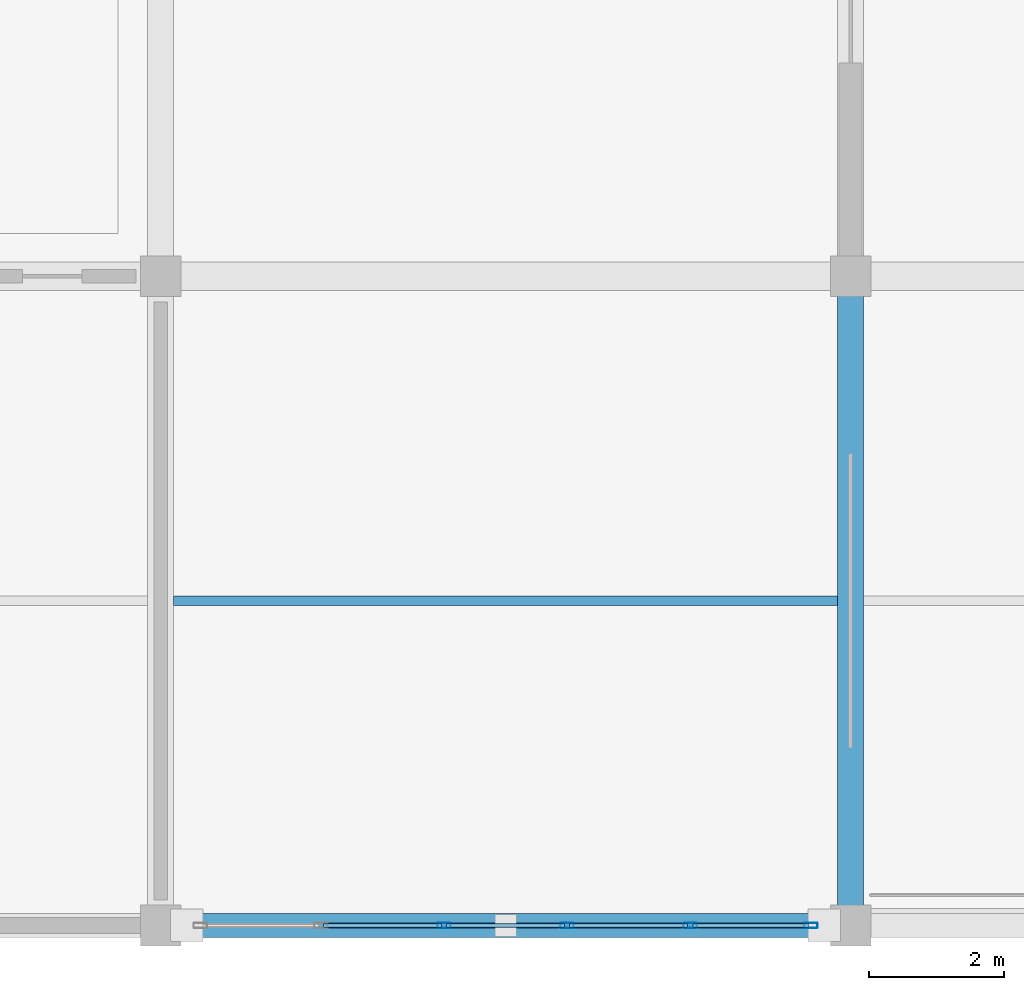
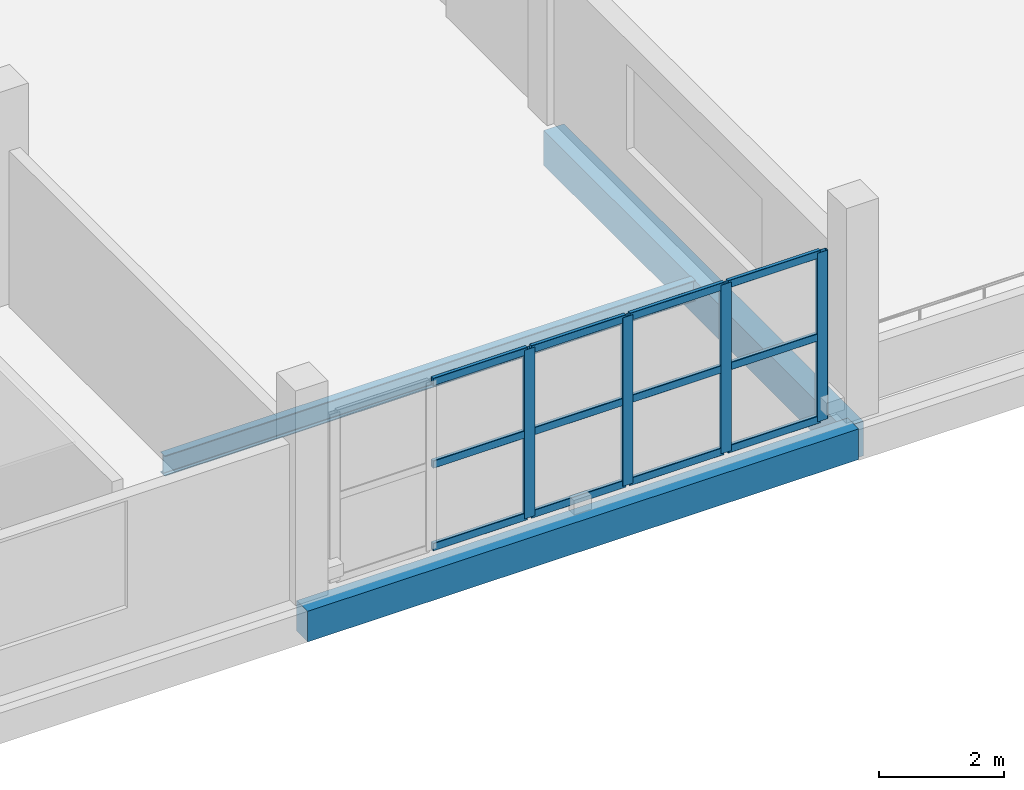
# One storey, part 16 of 24: 16 members, 3 beams, 1 element without a shape of its own.
"""IFC4 building model written with IfcOpenShell, lengths in metres."""

from ifc_helpers import new_model, si_unit, direction, frame, origin, origin_2d, place, context, subcontext, project, spatial, rectangle, hollow_rectangle, i_section, extrude, material, material_profile, profile_set, type_object, element, aggregate, save


model = new_model("IFC4")

# Units and contexts
model_context = context("Model", 3, precision=1e-05, world=origin(), true_north=direction((0.0, 1.0)))
body_context = subcontext(model_context, "Body", "Model", "MODEL_VIEW")
ifc_project = project(units=[si_unit("LENGTHUNIT", "METRE"), si_unit("AREAUNIT", "SQUARE_METRE"), si_unit("VOLUMEUNIT", "CUBIC_METRE"), si_unit("PLANEANGLEUNIT", "RADIAN"), si_unit("MASSUNIT", "GRAM", prefix="KILO")], contexts=[model_context])

# Site, building, storey
site_placement = place(None, origin())
site = spatial("IfcSite", under=ifc_project, at=site_placement, CompositionType="ELEMENT")
building_placement = place(site_placement, origin())
building = spatial("IfcBuilding", under=site, at=building_placement, Name="Brelvane Convention Centre", CompositionType="ELEMENT")
storey_placement = place(building_placement, frame((0.0, 0.0, 19.199951171875)))
storey = spatial("IfcBuildingStorey", under=building, at=storey_placement, Name="L04", CompositionType="ELEMENT", Elevation=19.199951171875)

# Curtain wall, members
ifc_material_1 = material(Name="Anodised Aluminium Alloy 6063-T6", Category="aluminium")
curtain_wall_type = type_object("IfcCurtainWallType", Name="Curtain Wall CW-COURT", PredefinedType="USERDEFINED", material=ifc_material_1)
curtain_wall_placement = place(storey_placement, origin())
curtain_wall = element("IfcCurtainWall", 1, at=curtain_wall_placement, inside=storey, type_object=curtain_wall_type, Name="Curtain Wall CW-COURT L04-V4S-07", ObjectType="UNITISED", PredefinedType="USERDEFINED")
ifc_material_2 = material(Name="Anodised Aluminium Alloy 6063-T6", Category="aluminium")
ifc_material_profile_1 = material_profile(ifc_material_2, hollow_rectangle(XDim=0.074951171875, YDim=0.199951171875, WallThickness=0.0048828125, InnerFilletRadius=0.0048828125, OuterFilletRadius=0.010009765625, at=origin_2d()), Name="ALU-M 200x75x5.0")
ifc_profile_set_1 = profile_set([ifc_material_profile_1], Name="Anodised Aluminium Alloy 6063-T6")
member_type_1 = type_object("IfcMemberType", Name="Curtain Mullion CW-M2", PredefinedType="MULLION", material=ifc_profile_set_1)
member_1_placement = place(storey_placement, frame((65.389892578125, 109.199951171875, 0.0), z_axis=(0.0, 0.0, 1.0), x_axis=(0.0, 1.0, 0.0)))
member_1 = element("IfcMember", 2, at=member_1_placement, type_object=member_type_1, Name="CW-COURT mullion 3", PredefinedType="MULLION", context=body_context, shape_type="SweptSolid", body=[
    extrude(hollow_rectangle(XDim=0.074951171875, YDim=0.199951171875, WallThickness=0.0048828125, InnerFilletRadius=0.0048828125, OuterFilletRadius=0.010009765625, at=origin_2d()), origin(), (0.0, 0.0, 1.0), 3.300048828125),
])
member_2_placement = place(storey_placement, frame((67.2099609375, 109.199951171875, 0.0), z_axis=(0.0, 0.0, 1.0), x_axis=(0.0, 1.0, 0.0)))
member_2 = element("IfcMember", 3, at=member_2_placement, type_object=member_type_1, Name="CW-COURT mullion 4", PredefinedType="MULLION", context=body_context, shape_type="SweptSolid", body=[
    extrude(hollow_rectangle(XDim=0.074951171875, YDim=0.199951171875, WallThickness=0.0048828125, InnerFilletRadius=0.0048828125, OuterFilletRadius=0.010009765625, at=origin_2d()), origin(), (0.0, 0.0, 1.0), 3.300048828125),
])
member_3_placement = place(storey_placement, frame((69.030029296875, 109.199951171875, 0.0), z_axis=(0.0, 0.0, 1.0), x_axis=(0.0, 1.0, 0.0)))
member_3 = element("IfcMember", 4, at=member_3_placement, type_object=member_type_1, Name="CW-COURT mullion 5", PredefinedType="MULLION", context=body_context, shape_type="SweptSolid", body=[
    extrude(hollow_rectangle(XDim=0.074951171875, YDim=0.199951171875, WallThickness=0.0048828125, InnerFilletRadius=0.0048828125, OuterFilletRadius=0.010009765625, at=origin_2d()), origin(), (0.0, 0.0, 1.0), 3.300048828125),
])
member_4_placement = place(storey_placement, frame((70.8125, 109.199951171875, 0.0), z_axis=(0.0, 0.0, 1.0), x_axis=(0.0, 1.0, 0.0)))
member_4 = element("IfcMember", 5, at=member_4_placement, type_object=member_type_1, Name="CW-COURT mullion 6", PredefinedType="MULLION", context=body_context, shape_type="SweptSolid", body=[
    extrude(hollow_rectangle(XDim=0.074951171875, YDim=0.199951171875, WallThickness=0.0048828125, InnerFilletRadius=0.0048828125, OuterFilletRadius=0.010009765625, at=origin_2d()), origin(), (0.0, 0.0, 1.0), 3.300048828125),
])
ifc_material_3 = material(Name="Anodised Aluminium Alloy 6063-T6", Category="aluminium")
ifc_material_profile_2 = material_profile(ifc_material_3, hollow_rectangle(XDim=0.070068359375, YDim=0.14990234375, WallThickness=0.00439453125, InnerFilletRadius=0.00439453125, OuterFilletRadius=0.009033203125, at=origin_2d()), Name="ALU-T 150x70x4.5")
ifc_profile_set_2 = profile_set([ifc_material_profile_2], Name="Anodised Aluminium Alloy 6063-T6")
member_type_2 = type_object("IfcMemberType", Name="Curtain Transom CW-T2", PredefinedType="USERDEFINED", material=ifc_profile_set_2)
member_5_placement = place(storey_placement, frame((63.607421875, 109.199951171875, 0.03515625), z_axis=(1.0, 0.0, 0.0), x_axis=(0.0, 1.0, 0.0)))
member_5 = element("IfcMember", 6, at=member_5_placement, type_object=member_type_2, Name="CW-COURT transom 2.1", ObjectType="TRANSOM", PredefinedType="USERDEFINED", context=body_context, shape_type="SweptSolid", body=[
    extrude(hollow_rectangle(XDim=0.070068359375, YDim=0.14990234375, WallThickness=0.00439453125, InnerFilletRadius=0.00439453125, OuterFilletRadius=0.009033203125, at=origin_2d()), origin(), (0.0, 0.0, 1.0), 1.7451171875),
])
member_6_placement = place(storey_placement, frame((63.607421875, 109.199951171875, 1.650146484375), z_axis=(1.0, 0.0, 0.0), x_axis=(0.0, 1.0, 0.0)))
member_6 = element("IfcMember", 7, at=member_6_placement, type_object=member_type_2, Name="CW-COURT transom 2.2", ObjectType="TRANSOM", PredefinedType="USERDEFINED", context=body_context, shape_type="SweptSolid", body=[
    extrude(hollow_rectangle(XDim=0.070068359375, YDim=0.14990234375, WallThickness=0.00439453125, InnerFilletRadius=0.00439453125, OuterFilletRadius=0.009033203125, at=origin_2d()), origin(), (0.0, 0.0, 1.0), 1.7451171875),
])
member_7_placement = place(storey_placement, frame((63.607421875, 109.199951171875, 3.26513671875), z_axis=(1.0, 0.0, 0.0), x_axis=(0.0, 1.0, 0.0)))
member_7 = element("IfcMember", 8, at=member_7_placement, type_object=member_type_2, Name="CW-COURT transom 2.3", ObjectType="TRANSOM", PredefinedType="USERDEFINED", context=body_context, shape_type="SweptSolid", body=[
    extrude(hollow_rectangle(XDim=0.070068359375, YDim=0.14990234375, WallThickness=0.00439453125, InnerFilletRadius=0.00439453125, OuterFilletRadius=0.009033203125, at=origin_2d()), origin(), (0.0, 0.0, 1.0), 1.7451171875),
])
member_8_placement = place(storey_placement, frame((65.427490234375, 109.199951171875, 0.03515625), z_axis=(1.0, 0.0, 0.0), x_axis=(0.0, 1.0, 0.0)))
member_8 = element("IfcMember", 9, at=member_8_placement, type_object=member_type_2, Name="CW-COURT transom 3.1", ObjectType="TRANSOM", PredefinedType="USERDEFINED", context=body_context, shape_type="SweptSolid", body=[
    extrude(hollow_rectangle(XDim=0.070068359375, YDim=0.14990234375, WallThickness=0.00439453125, InnerFilletRadius=0.00439453125, OuterFilletRadius=0.009033203125, at=origin_2d()), origin(), (0.0, 0.0, 1.0), 1.7451171875),
])
member_9_placement = place(storey_placement, frame((65.427490234375, 109.199951171875, 1.650146484375), z_axis=(1.0, 0.0, 0.0), x_axis=(0.0, 1.0, 0.0)))
member_9 = element("IfcMember", 10, at=member_9_placement, type_object=member_type_2, Name="CW-COURT transom 3.2", ObjectType="TRANSOM", PredefinedType="USERDEFINED", context=body_context, shape_type="SweptSolid", body=[
    extrude(hollow_rectangle(XDim=0.070068359375, YDim=0.14990234375, WallThickness=0.00439453125, InnerFilletRadius=0.00439453125, OuterFilletRadius=0.009033203125, at=origin_2d()), origin(), (0.0, 0.0, 1.0), 1.7451171875),
])
member_10_placement = place(storey_placement, frame((65.427490234375, 109.199951171875, 3.26513671875), z_axis=(1.0, 0.0, 0.0), x_axis=(0.0, 1.0, 0.0)))
member_10 = element("IfcMember", 11, at=member_10_placement, type_object=member_type_2, Name="CW-COURT transom 3.3", ObjectType="TRANSOM", PredefinedType="USERDEFINED", context=body_context, shape_type="SweptSolid", body=[
    extrude(hollow_rectangle(XDim=0.070068359375, YDim=0.14990234375, WallThickness=0.00439453125, InnerFilletRadius=0.00439453125, OuterFilletRadius=0.009033203125, at=origin_2d()), origin(), (0.0, 0.0, 1.0), 1.7451171875),
])
member_11_placement = place(storey_placement, frame((67.24755859375, 109.199951171875, 0.03515625), z_axis=(1.0, 0.0, 0.0), x_axis=(0.0, 1.0, 0.0)))
member_11 = element("IfcMember", 12, at=member_11_placement, type_object=member_type_2, Name="CW-COURT transom 4.1", ObjectType="TRANSOM", PredefinedType="USERDEFINED", context=body_context, shape_type="SweptSolid", body=[
    extrude(hollow_rectangle(XDim=0.070068359375, YDim=0.14990234375, WallThickness=0.00439453125, InnerFilletRadius=0.00439453125, OuterFilletRadius=0.009033203125, at=origin_2d()), origin(), (0.0, 0.0, 1.0), 1.744873046875),
])
member_12_placement = place(storey_placement, frame((67.24755859375, 109.199951171875, 1.650146484375), z_axis=(1.0, 0.0, 0.0), x_axis=(0.0, 1.0, 0.0)))
member_12 = element("IfcMember", 13, at=member_12_placement, type_object=member_type_2, Name="CW-COURT transom 4.2", ObjectType="TRANSOM", PredefinedType="USERDEFINED", context=body_context, shape_type="SweptSolid", body=[
    extrude(hollow_rectangle(XDim=0.070068359375, YDim=0.14990234375, WallThickness=0.00439453125, InnerFilletRadius=0.00439453125, OuterFilletRadius=0.009033203125, at=origin_2d()), origin(), (0.0, 0.0, 1.0), 1.744873046875),
])
member_13_placement = place(storey_placement, frame((67.24755859375, 109.199951171875, 3.26513671875), z_axis=(1.0, 0.0, 0.0), x_axis=(0.0, 1.0, 0.0)))
member_13 = element("IfcMember", 14, at=member_13_placement, type_object=member_type_2, Name="CW-COURT transom 4.3", ObjectType="TRANSOM", PredefinedType="USERDEFINED", context=body_context, shape_type="SweptSolid", body=[
    extrude(hollow_rectangle(XDim=0.070068359375, YDim=0.14990234375, WallThickness=0.00439453125, InnerFilletRadius=0.00439453125, OuterFilletRadius=0.009033203125, at=origin_2d()), origin(), (0.0, 0.0, 1.0), 1.744873046875),
])
member_14_placement = place(storey_placement, frame((69.0673828125, 109.199951171875, 0.03515625), z_axis=(1.0, 0.0, 0.0), x_axis=(0.0, 1.0, 0.0)))
member_14 = element("IfcMember", 15, at=member_14_placement, type_object=member_type_2, Name="CW-COURT transom 5.1", ObjectType="TRANSOM", PredefinedType="USERDEFINED", context=body_context, shape_type="SweptSolid", body=[
    extrude(hollow_rectangle(XDim=0.070068359375, YDim=0.14990234375, WallThickness=0.00439453125, InnerFilletRadius=0.00439453125, OuterFilletRadius=0.009033203125, at=origin_2d()), origin(), (0.0, 0.0, 1.0), 1.70751953125),
])
member_15_placement = place(storey_placement, frame((69.0673828125, 109.199951171875, 1.650146484375), z_axis=(1.0, 0.0, 0.0), x_axis=(0.0, 1.0, 0.0)))
member_15 = element("IfcMember", 16, at=member_15_placement, type_object=member_type_2, Name="CW-COURT transom 5.2", ObjectType="TRANSOM", PredefinedType="USERDEFINED", context=body_context, shape_type="SweptSolid", body=[
    extrude(hollow_rectangle(XDim=0.070068359375, YDim=0.14990234375, WallThickness=0.00439453125, InnerFilletRadius=0.00439453125, OuterFilletRadius=0.009033203125, at=origin_2d()), origin(), (0.0, 0.0, 1.0), 1.70751953125),
])
member_16_placement = place(storey_placement, frame((69.0673828125, 109.199951171875, 3.26513671875), z_axis=(1.0, 0.0, 0.0), x_axis=(0.0, 1.0, 0.0)))
member_16 = element("IfcMember", 17, at=member_16_placement, type_object=member_type_2, Name="CW-COURT transom 5.3", ObjectType="TRANSOM", PredefinedType="USERDEFINED", context=body_context, shape_type="SweptSolid", body=[
    extrude(hollow_rectangle(XDim=0.070068359375, YDim=0.14990234375, WallThickness=0.00439453125, InnerFilletRadius=0.00439453125, OuterFilletRadius=0.009033203125, at=origin_2d()), origin(), (0.0, 0.0, 1.0), 1.70751953125),
])
aggregate(curtain_wall, [member_1, member_2, member_3, member_4, member_5, member_6, member_7, member_8, member_9, member_10, member_11, member_12, member_13, member_14, member_15, member_16])

# Beams
ifc_material_4 = material(Name="Concrete M40", Category="concrete")
ifc_material_profile_3 = material_profile(ifc_material_4, rectangle(XDim=0.3798828125, YDim=0.679931640625, at=origin_2d()), Name="RC 380x680")
ifc_profile_set_3 = profile_set([ifc_material_profile_3], Name="Concrete M40")
beam_type_1 = type_object("IfcBeamType", Name="RC Beam B-RC14 (RC 380x680)", PredefinedType="BEAM", material=ifc_profile_set_3)
beam_1_placement = place(storey_placement, frame((71.39990234375, 109.199951171875, -0.64990234375), z_axis=(0.0, 1.0, 0.0), x_axis=(-1.0, 0.0, 0.0)))
element("IfcBeam", 18, at=beam_1_placement, inside=storey, type_object=beam_type_1, Name="L04 Girder 8/L-M", PredefinedType="BEAM", context=body_context, shape_type="SweptSolid", body=[
    extrude(rectangle(XDim=0.3798828125, YDim=0.679931640625, at=origin_2d()), origin(), (0.0, 0.0, 1.0), 9.60009765625),
])
ifc_material_5 = material(Name="Concrete M40", Category="concrete")
ifc_material_profile_4 = material_profile(ifc_material_5, rectangle(XDim=0.35009765625, YDim=0.60009765625, at=origin_2d()), Name="RC 350x600")
ifc_profile_set_4 = profile_set([ifc_material_profile_4], Name="Concrete M40")
beam_type_2 = type_object("IfcBeamType", Name="RC Spandrel SP-RC2 (RC 350x600)", PredefinedType="SPANDREL", material=ifc_profile_set_4)
beam_2_placement = place(storey_placement, frame((61.199951171875, 109.199951171875, -0.58984375), z_axis=(1.0, 0.0, 0.0), x_axis=(0.0, 1.0, 0.0)))
element("IfcBeam", 19, at=beam_2_placement, inside=storey, type_object=beam_type_2, Name="L04 Beam 7-8/L", PredefinedType="SPANDREL", context=body_context, shape_type="SweptSolid", body=[
    extrude(rectangle(XDim=0.35009765625, YDim=0.60009765625, at=origin_2d()), origin(), (0.0, 0.0, 1.0), 10.199951171875),
])
ifc_material_6 = material(Name="Steel E350 (350 MPa)", Category="steel")
ifc_material_profile_5 = material_profile(ifc_material_6, i_section(OverallWidth=0.139892578125, OverallDepth=0.39990234375, WebThickness=0.0087890625, FlangeThickness=0.01611328125, FilletRadius=0.013916015625, at=origin_2d()), Name="ISMB 400")
ifc_profile_set_5 = profile_set([ifc_material_profile_5], Name="Steel E350 (350 MPa)")
beam_type_3 = type_object("IfcBeamType", Name="Steel Joist J-ST1 (ISMB 400)", PredefinedType="JOIST", material=ifc_profile_set_5)
beam_3_placement = place(storey_placement, frame((61.389892578125, 114.0, -0.489990234375), z_axis=(1.0, 0.0, 0.0), x_axis=(0.0, 1.0, 0.0)))
element("IfcBeam", 20, at=beam_3_placement, inside=storey, type_object=beam_type_3, Name="L04 Secondary Joist 7-8/LM", PredefinedType="JOIST", context=body_context, shape_type="SweptSolid", body=[
    extrude(i_section(OverallWidth=0.139892578125, OverallDepth=0.39990234375, WebThickness=0.0087890625, FlangeThickness=0.01611328125, FilletRadius=0.013916015625, at=origin_2d()), origin(), (0.0, 0.0, 1.0), 9.820068359375),
])

save(model, "model.ifc")
